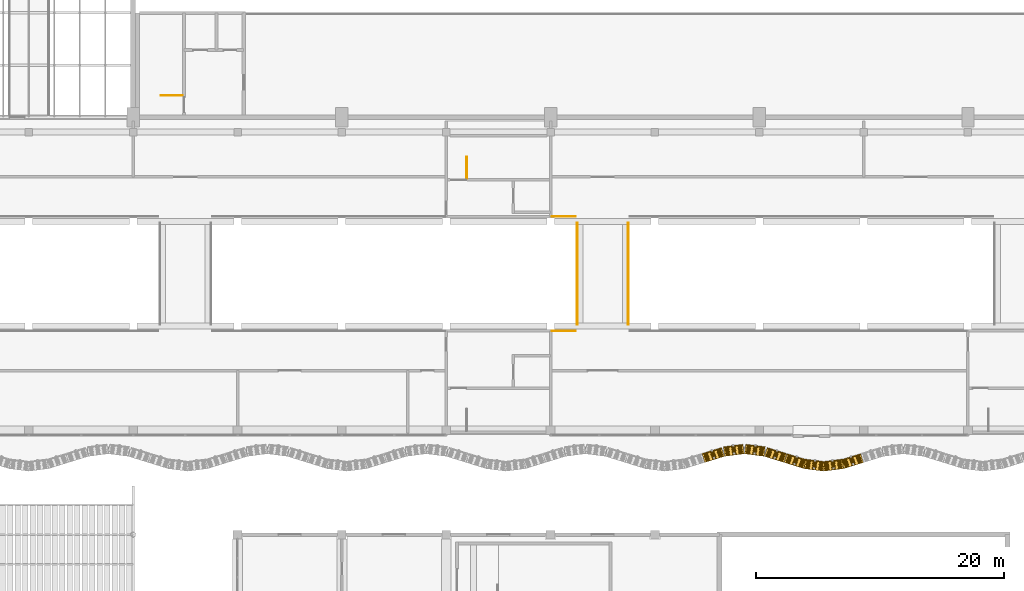
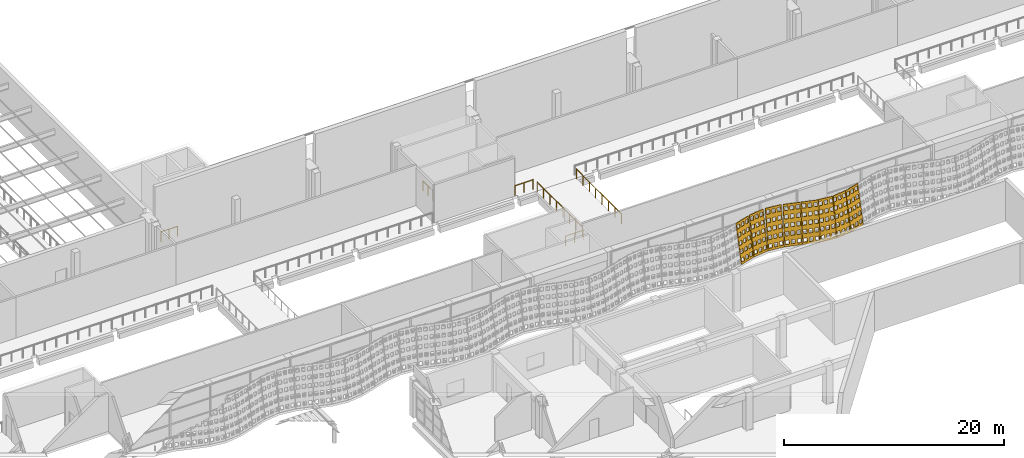
# One storey, part 148 of 162: 8 coverings, 6 railings.
"""IFC4 building model written with IfcOpenShell, lengths in metres."""

from ifc_helpers import new_model, si_unit, direction, frame, origin, origin_2d, place, context, subcontext, project, spatial, polyline, circle, outline, extrude, material, layer, layer_set, type_object, element, save


model = new_model("IFC4")

# Units and contexts
model_context = context("Model", 3, precision=1e-05, world=origin(), true_north=direction((0.0, 1.0)))
body_context = subcontext(model_context, "Body", "Model", "MODEL_VIEW")
ifc_project = project(units=[si_unit("LENGTHUNIT", "METRE"), si_unit("AREAUNIT", "SQUARE_METRE"), si_unit("VOLUMEUNIT", "CUBIC_METRE"), si_unit("PLANEANGLEUNIT", "RADIAN"), si_unit("MASSUNIT", "GRAM", prefix="KILO")], contexts=[model_context])

# Site, building, storey
site_placement = place(None, origin())
site = spatial("IfcSite", under=ifc_project, at=site_placement, CompositionType="ELEMENT")
building_placement = place(site_placement, origin())
building = spatial("IfcBuilding", under=site, at=building_placement, Name="Rain Tree Exposition and Congress Centre", CompositionType="ELEMENT")
storey_placement = place(building_placement, frame((0.0, 0.0, 6.0)))
storey = spatial("IfcBuildingStorey", under=building, at=storey_placement, Name="L01", CompositionType="ELEMENT", Elevation=6.0)

# Railings
ifc_material_1 = material(Name="Aluminium and glass balustrade", Category="aluminium")
railing_type_1 = type_object("IfcRailingType", Name="Concourse guard 1100", PredefinedType="GUARDRAIL", material=ifc_material_1)
railing_1_placement = place(storey_placement, frame((169.64990234375, 95.85009765625, 0.0)))
element("IfcRailing", 1, at=railing_1_placement, inside=storey, type_object=railing_type_1, Name="L01 ST-C11 top well guard 1", PredefinedType="GUARDRAIL", context=body_context, shape_type="SweptSolid", body=[
    extrude(circle(Radius=0.02392578125, at=origin_2d()), frame((0.0, 0.0, 1.076171875), z_axis=(0.0, 1.0, 0.0), x_axis=(-1.0, 0.0, 0.0)), (0.0, 0.0, 1.0), 1.75),
    extrude(circle(Radius=0.02099609375, at=origin_2d()), origin(), (0.0, 0.0, 1.0), 1.052001953125),
    extrude(circle(Radius=0.02099609375, at=origin_2d()), frame((0.0, 0.875, 0.0)), (0.0, 0.0, 1.0), 1.052001953125),
    extrude(circle(Radius=0.02099609375, at=origin_2d()), frame((0.0, 1.75, 0.0)), (0.0, 0.0, 1.0), 1.052001953125),
])
for number, where, name in (
    (2, (176.5, 83.60009765625, 0.0), "Concourse promenade guard 10"),
    (3, (176.5, 92.800048828125, 0.0), "Concourse promenade guard 24"),
):
    element("IfcRailing", number, at=place(storey_placement, frame(where)), inside=storey, type_object=railing_type_1, Name=name, PredefinedType="GUARDRAIL", context=body_context, shape_type="SweptSolid", body=[
        extrude(circle(Radius=0.02392578125, at=origin_2d()), frame((0.0, 0.0, 1.076171875), z_axis=(1.0, 0.0, 0.0), x_axis=(0.0, 1.0, 0.0)), (0.0, 0.0, 1.0), 1.89990234375),
        extrude(circle(Radius=0.02099609375, at=origin_2d()), origin(), (0.0, 0.0, 1.0), 1.052001953125),
        extrude(circle(Radius=0.02099609375, at=origin_2d()), frame((0.949951171875, 0.0, 0.0)), (0.0, 0.0, 1.0), 1.052001953125),
        extrude(circle(Radius=0.02099609375, at=origin_2d()), frame((1.89990234375, 0.0, 0.0)), (0.0, 0.0, 1.0), 1.052001953125),
    ])
for number, where, name in (
    (4, (178.550048828125, 84.10009765625, 0.0), "Concourse bridge guard 6.1"),
    (5, (182.64990234375, 84.10009765625, 0.0), "Concourse bridge guard 6.2"),
):
    element("IfcRailing", number, at=place(storey_placement, frame(where)), inside=storey, type_object=railing_type_1, Name=name, PredefinedType="GUARDRAIL", context=body_context, shape_type="SweptSolid", body=[
        extrude(circle(Radius=0.02392578125, at=origin_2d()), frame((0.0, 0.0, 1.076171875), z_axis=(0.0, 1.0, 0.0), x_axis=(-1.0, 0.0, 0.0)), (0.0, 0.0, 1.0), 8.199951171875),
        extrude(circle(Radius=0.02099609375, at=origin_2d()), origin(), (0.0, 0.0, 1.0), 1.052001953125),
        extrude(circle(Radius=0.02099609375, at=origin_2d()), frame((0.0, 1.17138671875, 0.0)), (0.0, 0.0, 1.0), 1.052001953125),
        extrude(circle(Radius=0.02099609375, at=origin_2d()), frame((0.0, 2.3427734375, 0.0)), (0.0, 0.0, 1.0), 1.052001953125),
        extrude(circle(Radius=0.02099609375, at=origin_2d()), frame((0.0, 3.51416015625, 0.0)), (0.0, 0.0, 1.0), 1.052001953125),
        extrude(circle(Radius=0.02099609375, at=origin_2d()), frame((0.0, 4.685791015625, 0.0)), (0.0, 0.0, 1.0), 1.052001953125),
        extrude(circle(Radius=0.02099609375, at=origin_2d()), frame((0.0, 5.857177734375, 0.0)), (0.0, 0.0, 1.0), 1.052001953125),
        extrude(circle(Radius=0.02099609375, at=origin_2d()), frame((0.0, 7.028564453125, 0.0)), (0.0, 0.0, 1.0), 1.052001953125),
        extrude(circle(Radius=0.02099609375, at=origin_2d()), frame((0.0, 8.199951171875, 0.0)), (0.0, 0.0, 1.0), 1.052001953125),
    ])
ifc_material_2 = material(Name="Steel S355J2H", Category="steel")
railing_type_2 = type_object("IfcRailingType", Name="Stair guard 1100", PredefinedType="GUARDRAIL", material=ifc_material_2)
railing_2_placement = place(storey_placement, frame((146.77490234375, 102.550048828125, 0.0)))
element("IfcRailing", 6, at=railing_2_placement, inside=storey, type_object=railing_type_2, Name="L01 ST-H5 top well guard 1", PredefinedType="GUARDRAIL", context=body_context, shape_type="SweptSolid", body=[
    extrude(circle(Radius=0.02392578125, at=origin_2d()), frame((0.0, 0.0, 1.076171875), z_axis=(-1.0, 0.0, 0.0), x_axis=(0.0, -1.0, 0.0)), (0.0, 0.0, 1.0), 1.75),
    extrude(circle(Radius=0.02099609375, at=origin_2d()), origin(), (0.0, 0.0, 1.0), 1.052001953125),
    extrude(circle(Radius=0.02099609375, at=origin_2d()), frame((-0.875, 0.0, 0.0)), (0.0, 0.0, 1.0), 1.052001953125),
    extrude(circle(Radius=0.02099609375, at=origin_2d()), frame((-1.75, 0.0, 0.0)), (0.0, 0.0, 1.0), 1.052001953125),
])

# Coverings
ifc_material_3 = material(Name="Perforated terracotta", Category="masonry")
ifc_layer = layer(ifc_material_3, 0.080078125)
ifc_layer_set = layer_set([ifc_layer], Name="Perforated terracotta")
covering_type = type_object("IfcCoveringType", Name="Terracotta screen 80", PredefinedType="CLADDING", material=ifc_layer_set)
covering_1_placement = place(storey_placement, frame((188.79931640625, 73.001708984375, 0.0126953125), z_axis=(-0.290138898064, 0.943714942124, -0.158812870519), x_axis=(-0.955845867297, -0.293868470528, 0.0)))
element("IfcCovering", 7, at=covering_1_placement, inside=storey, type_object=covering_type, Name="concourse/screen/L01/119", PredefinedType="CLADDING", context=body_context, shape_type="SweptSolid", body=[
    extrude(outline(polyline([(-1.659912109375, 0.0), (-1.659912109375, 4.29150390625), (-0.014892578125, 4.29150390625), (-0.014892578125, 0.0), (-1.659912109375, 0.0)]), holes=[polyline([(-0.119140625, 0.221435546875), (-0.119140625, 0.63671875), (-0.458984375, 0.63671875), (-0.458984375, 0.221435546875), (-0.119140625, 0.221435546875)]), polyline([(-0.119140625, 1.079833984375), (-0.119140625, 1.4951171875), (-0.458984375, 1.4951171875), (-0.458984375, 1.079833984375), (-0.119140625, 1.079833984375)]), polyline([(-0.119140625, 1.93798828125), (-0.119140625, 2.353271484375), (-0.458984375, 2.353271484375), (-0.458984375, 1.93798828125), (-0.119140625, 1.93798828125)]), polyline([(-0.119140625, 2.79638671875), (-0.119140625, 3.211669921875), (-0.458984375, 3.211669921875), (-0.458984375, 2.79638671875), (-0.119140625, 2.79638671875)]), polyline([(-0.119140625, 3.654541015625), (-0.119140625, 4.06982421875), (-0.458984375, 4.06982421875), (-0.458984375, 3.654541015625), (-0.119140625, 3.654541015625)]), polyline([(-0.66748046875, 0.221435546875), (-0.66748046875, 0.63671875), (-1.00732421875, 0.63671875), (-1.00732421875, 0.221435546875), (-0.66748046875, 0.221435546875)]), polyline([(-0.66748046875, 1.079833984375), (-0.66748046875, 1.4951171875), (-1.00732421875, 1.4951171875), (-1.00732421875, 1.079833984375), (-0.66748046875, 1.079833984375)]), polyline([(-0.66748046875, 1.93798828125), (-0.66748046875, 2.353271484375), (-1.00732421875, 2.353271484375), (-1.00732421875, 1.93798828125), (-0.66748046875, 1.93798828125)]), polyline([(-0.66748046875, 2.79638671875), (-0.66748046875, 3.211669921875), (-1.00732421875, 3.211669921875), (-1.00732421875, 2.79638671875), (-0.66748046875, 2.79638671875)]), polyline([(-0.66748046875, 3.654541015625), (-0.66748046875, 4.06982421875), (-1.00732421875, 4.06982421875), (-1.00732421875, 3.654541015625), (-0.66748046875, 3.654541015625)]), polyline([(-1.2158203125, 0.221435546875), (-1.2158203125, 0.63671875), (-1.5556640625, 0.63671875), (-1.5556640625, 0.221435546875), (-1.2158203125, 0.221435546875)]), polyline([(-1.2158203125, 1.079833984375), (-1.2158203125, 1.4951171875), (-1.5556640625, 1.4951171875), (-1.5556640625, 1.079833984375), (-1.2158203125, 1.079833984375)]), polyline([(-1.2158203125, 1.93798828125), (-1.2158203125, 2.353271484375), (-1.5556640625, 2.353271484375), (-1.5556640625, 1.93798828125), (-1.2158203125, 1.93798828125)]), polyline([(-1.2158203125, 2.79638671875), (-1.2158203125, 3.211669921875), (-1.5556640625, 3.211669921875), (-1.5556640625, 2.79638671875), (-1.2158203125, 2.79638671875)]), polyline([(-1.2158203125, 3.654541015625), (-1.2158203125, 4.06982421875), (-1.5556640625, 4.06982421875), (-1.5556640625, 3.654541015625), (-1.2158203125, 3.654541015625)])]), origin(), (0.0, 0.0, 1.0), 0.079833984375),
])
covering_2_placement = place(storey_placement, frame((190.399658203125, 73.496826171875, 0.01318359375), z_axis=(-0.124968640969, 0.978413018317, -0.164592844203), x_axis=(-0.991941518713, -0.126696580272, 0.0)))
element("IfcCovering", 8, at=covering_2_placement, inside=storey, type_object=covering_type, Name="concourse/screen/L01/120", PredefinedType="CLADDING", context=body_context, shape_type="SweptSolid", body=[
    extrude(outline(polyline([(-1.59814453125, 0.0), (-1.59814453125, 4.295166015625), (-0.014892578125, 4.295166015625), (-0.014892578125, 0.0), (-1.59814453125, 0.0)]), holes=[polyline([(-0.115234375, 0.2216796875), (-0.115234375, 0.63720703125), (-0.4423828125, 0.63720703125), (-0.4423828125, 0.2216796875), (-0.115234375, 0.2216796875)]), polyline([(-0.115234375, 1.080810546875), (-0.115234375, 1.496337890625), (-0.4423828125, 1.496337890625), (-0.4423828125, 1.080810546875), (-0.115234375, 1.080810546875)]), polyline([(-0.115234375, 1.939697265625), (-0.115234375, 2.35546875), (-0.4423828125, 2.35546875), (-0.4423828125, 1.939697265625), (-0.115234375, 1.939697265625)]), polyline([(-0.115234375, 2.798583984375), (-0.115234375, 3.21435546875), (-0.4423828125, 3.21435546875), (-0.4423828125, 2.798583984375), (-0.115234375, 2.798583984375)]), polyline([(-0.115234375, 3.65771484375), (-0.115234375, 4.073486328125), (-0.4423828125, 4.073486328125), (-0.4423828125, 3.65771484375), (-0.115234375, 3.65771484375)]), polyline([(-0.64306640625, 0.2216796875), (-0.64306640625, 0.63720703125), (-0.97021484375, 0.63720703125), (-0.97021484375, 0.2216796875), (-0.64306640625, 0.2216796875)]), polyline([(-0.64306640625, 1.080810546875), (-0.64306640625, 1.496337890625), (-0.97021484375, 1.496337890625), (-0.97021484375, 1.080810546875), (-0.64306640625, 1.080810546875)]), polyline([(-0.64306640625, 1.939697265625), (-0.64306640625, 2.35546875), (-0.97021484375, 2.35546875), (-0.97021484375, 1.939697265625), (-0.64306640625, 1.939697265625)]), polyline([(-0.64306640625, 2.798583984375), (-0.64306640625, 3.21435546875), (-0.97021484375, 3.21435546875), (-0.97021484375, 2.798583984375), (-0.64306640625, 2.798583984375)]), polyline([(-0.64306640625, 3.65771484375), (-0.64306640625, 4.073486328125), (-0.97021484375, 4.073486328125), (-0.97021484375, 3.65771484375), (-0.64306640625, 3.65771484375)]), polyline([(-1.170654296875, 0.2216796875), (-1.170654296875, 0.63720703125), (-1.497802734375, 0.63720703125), (-1.497802734375, 0.2216796875), (-1.170654296875, 0.2216796875)]), polyline([(-1.170654296875, 1.080810546875), (-1.170654296875, 1.496337890625), (-1.497802734375, 1.496337890625), (-1.497802734375, 1.080810546875), (-1.170654296875, 1.080810546875)]), polyline([(-1.170654296875, 1.939697265625), (-1.170654296875, 2.35546875), (-1.497802734375, 2.35546875), (-1.497802734375, 1.939697265625), (-1.170654296875, 1.939697265625)]), polyline([(-1.170654296875, 2.798583984375), (-1.170654296875, 3.21435546875), (-1.497802734375, 3.21435546875), (-1.497802734375, 2.798583984375), (-1.170654296875, 2.798583984375)]), polyline([(-1.170654296875, 3.65771484375), (-1.170654296875, 4.073486328125), (-1.497802734375, 4.073486328125), (-1.497802734375, 3.65771484375), (-1.170654296875, 3.65771484375)])]), origin(), (0.0, 0.0, 1.0), 0.080078125),
])
covering_3_placement = place(storey_placement, frame((192.000244140625, 73.701904296875, 0.01318359375), z_axis=(0.125342414455, 0.978282259159, -0.165085131233), x_axis=(-0.991891686382, 0.127086122318, 0.0)))
element("IfcCovering", 9, at=covering_3_placement, inside=storey, type_object=covering_type, Name="concourse/screen/L01/121", PredefinedType="CLADDING", context=body_context, shape_type="SweptSolid", body=[
    extrude(outline(polyline([(-1.59814453125, 0.0), (-1.59814453125, 4.295166015625), (-0.014892578125, 4.295166015625), (-0.014892578125, 0.0), (-1.59814453125, 0.0)]), holes=[polyline([(-0.115234375, 0.2216796875), (-0.115234375, 0.63720703125), (-0.4423828125, 0.63720703125), (-0.4423828125, 0.2216796875), (-0.115234375, 0.2216796875)]), polyline([(-0.115234375, 1.080810546875), (-0.115234375, 1.496337890625), (-0.4423828125, 1.496337890625), (-0.4423828125, 1.080810546875), (-0.115234375, 1.080810546875)]), polyline([(-0.115234375, 1.939697265625), (-0.115234375, 2.35546875), (-0.4423828125, 2.35546875), (-0.4423828125, 1.939697265625), (-0.115234375, 1.939697265625)]), polyline([(-0.115234375, 2.798583984375), (-0.115234375, 3.21435546875), (-0.4423828125, 3.21435546875), (-0.4423828125, 2.798583984375), (-0.115234375, 2.798583984375)]), polyline([(-0.115234375, 3.65771484375), (-0.115234375, 4.073486328125), (-0.4423828125, 4.073486328125), (-0.4423828125, 3.65771484375), (-0.115234375, 3.65771484375)]), polyline([(-0.64306640625, 0.2216796875), (-0.64306640625, 0.63720703125), (-0.97021484375, 0.63720703125), (-0.97021484375, 0.2216796875), (-0.64306640625, 0.2216796875)]), polyline([(-0.64306640625, 1.080810546875), (-0.64306640625, 1.496337890625), (-0.97021484375, 1.496337890625), (-0.97021484375, 1.080810546875), (-0.64306640625, 1.080810546875)]), polyline([(-0.64306640625, 1.939697265625), (-0.64306640625, 2.35546875), (-0.97021484375, 2.35546875), (-0.97021484375, 1.939697265625), (-0.64306640625, 1.939697265625)]), polyline([(-0.64306640625, 2.798583984375), (-0.64306640625, 3.21435546875), (-0.97021484375, 3.21435546875), (-0.97021484375, 2.798583984375), (-0.64306640625, 2.798583984375)]), polyline([(-0.64306640625, 3.65771484375), (-0.64306640625, 4.073486328125), (-0.97021484375, 4.073486328125), (-0.97021484375, 3.65771484375), (-0.64306640625, 3.65771484375)]), polyline([(-1.170654296875, 0.2216796875), (-1.170654296875, 0.63720703125), (-1.497802734375, 0.63720703125), (-1.497802734375, 0.2216796875), (-1.170654296875, 0.2216796875)]), polyline([(-1.170654296875, 1.080810546875), (-1.170654296875, 1.496337890625), (-1.497802734375, 1.496337890625), (-1.497802734375, 1.080810546875), (-1.170654296875, 1.080810546875)]), polyline([(-1.170654296875, 1.939697265625), (-1.170654296875, 2.35546875), (-1.497802734375, 2.35546875), (-1.497802734375, 1.939697265625), (-1.170654296875, 1.939697265625)]), polyline([(-1.170654296875, 2.798583984375), (-1.170654296875, 3.21435546875), (-1.497802734375, 3.21435546875), (-1.497802734375, 2.798583984375), (-1.170654296875, 2.798583984375)]), polyline([(-1.170654296875, 3.65771484375), (-1.170654296875, 4.073486328125), (-1.497802734375, 4.073486328125), (-1.497802734375, 3.65771484375), (-1.170654296875, 3.65771484375)])]), origin(), (0.0, 0.0, 1.0), 0.079833984375),
])
covering_4_placement = place(storey_placement, frame((193.6005859375, 73.49658203125, 0.0126953125), z_axis=(0.290138898064, 0.943714942124, -0.158812870519), x_axis=(-0.955845867297, 0.293868470528, 0.0)))
element("IfcCovering", 10, at=covering_4_placement, inside=storey, type_object=covering_type, Name="concourse/screen/L01/122", PredefinedType="CLADDING", context=body_context, shape_type="SweptSolid", body=[
    extrude(outline(polyline([(-1.659912109375, 0.0), (-1.659912109375, 4.29150390625), (-0.014892578125, 4.29150390625), (-0.014892578125, 0.0), (-1.659912109375, 0.0)]), holes=[polyline([(-0.119140625, 0.221435546875), (-0.119140625, 0.63671875), (-0.458984375, 0.63671875), (-0.458984375, 0.221435546875), (-0.119140625, 0.221435546875)]), polyline([(-0.119140625, 1.079833984375), (-0.119140625, 1.4951171875), (-0.458984375, 1.4951171875), (-0.458984375, 1.079833984375), (-0.119140625, 1.079833984375)]), polyline([(-0.119140625, 1.93798828125), (-0.119140625, 2.353271484375), (-0.458984375, 2.353271484375), (-0.458984375, 1.93798828125), (-0.119140625, 1.93798828125)]), polyline([(-0.119140625, 2.79638671875), (-0.119140625, 3.211669921875), (-0.458984375, 3.211669921875), (-0.458984375, 2.79638671875), (-0.119140625, 2.79638671875)]), polyline([(-0.119140625, 3.654541015625), (-0.119140625, 4.06982421875), (-0.458984375, 4.06982421875), (-0.458984375, 3.654541015625), (-0.119140625, 3.654541015625)]), polyline([(-0.66748046875, 0.221435546875), (-0.66748046875, 0.63671875), (-1.00732421875, 0.63671875), (-1.00732421875, 0.221435546875), (-0.66748046875, 0.221435546875)]), polyline([(-0.66748046875, 1.079833984375), (-0.66748046875, 1.4951171875), (-1.00732421875, 1.4951171875), (-1.00732421875, 1.079833984375), (-0.66748046875, 1.079833984375)]), polyline([(-0.66748046875, 1.93798828125), (-0.66748046875, 2.353271484375), (-1.00732421875, 2.353271484375), (-1.00732421875, 1.93798828125), (-0.66748046875, 1.93798828125)]), polyline([(-0.66748046875, 2.79638671875), (-0.66748046875, 3.211669921875), (-1.00732421875, 3.211669921875), (-1.00732421875, 2.79638671875), (-0.66748046875, 2.79638671875)]), polyline([(-0.66748046875, 3.654541015625), (-0.66748046875, 4.06982421875), (-1.00732421875, 4.06982421875), (-1.00732421875, 3.654541015625), (-0.66748046875, 3.654541015625)]), polyline([(-1.2158203125, 0.221435546875), (-1.2158203125, 0.63671875), (-1.5556640625, 0.63671875), (-1.5556640625, 0.221435546875), (-1.2158203125, 0.221435546875)]), polyline([(-1.2158203125, 1.079833984375), (-1.2158203125, 1.4951171875), (-1.5556640625, 1.4951171875), (-1.5556640625, 1.079833984375), (-1.2158203125, 1.079833984375)]), polyline([(-1.2158203125, 1.93798828125), (-1.2158203125, 2.353271484375), (-1.5556640625, 2.353271484375), (-1.5556640625, 1.93798828125), (-1.2158203125, 1.93798828125)]), polyline([(-1.2158203125, 2.79638671875), (-1.2158203125, 3.211669921875), (-1.5556640625, 3.211669921875), (-1.5556640625, 2.79638671875), (-1.2158203125, 2.79638671875)]), polyline([(-1.2158203125, 3.654541015625), (-1.2158203125, 4.06982421875), (-1.5556640625, 4.06982421875), (-1.5556640625, 3.654541015625), (-1.2158203125, 3.654541015625)])]), origin(), (0.0, 0.0, 1.0), 0.079833984375),
])
covering_5_placement = place(storey_placement, frame((195.20068359375, 73.001708984375, 0.0126953125), z_axis=(0.290138898064, 0.943714942124, -0.158812870519), x_axis=(-0.955845867297, 0.293868470528, 0.0)))
element("IfcCovering", 11, at=covering_5_placement, inside=storey, type_object=covering_type, Name="concourse/screen/L01/123", PredefinedType="CLADDING", context=body_context, shape_type="SweptSolid", body=[
    extrude(outline(polyline([(-1.65283203125, 0.0), (-1.65283203125, 4.29150390625), (-0.014892578125, 4.29150390625), (-0.014892578125, 0.0), (-1.65283203125, 0.0)]), holes=[polyline([(-0.11865234375, 0.221435546875), (-0.11865234375, 0.63671875), (-0.457275390625, 0.63671875), (-0.457275390625, 0.221435546875), (-0.11865234375, 0.221435546875)]), polyline([(-0.11865234375, 1.079833984375), (-0.11865234375, 1.4951171875), (-0.457275390625, 1.4951171875), (-0.457275390625, 1.079833984375), (-0.11865234375, 1.079833984375)]), polyline([(-0.11865234375, 1.93798828125), (-0.11865234375, 2.353271484375), (-0.457275390625, 2.353271484375), (-0.457275390625, 1.93798828125), (-0.11865234375, 1.93798828125)]), polyline([(-0.11865234375, 2.79638671875), (-0.11865234375, 3.211669921875), (-0.457275390625, 3.211669921875), (-0.457275390625, 2.79638671875), (-0.11865234375, 2.79638671875)]), polyline([(-0.11865234375, 3.654541015625), (-0.11865234375, 4.06982421875), (-0.457275390625, 4.06982421875), (-0.457275390625, 3.654541015625), (-0.11865234375, 3.654541015625)]), polyline([(-0.664794921875, 0.221435546875), (-0.664794921875, 0.63671875), (-1.003173828125, 0.63671875), (-1.003173828125, 0.221435546875), (-0.664794921875, 0.221435546875)]), polyline([(-0.664794921875, 1.079833984375), (-0.664794921875, 1.4951171875), (-1.003173828125, 1.4951171875), (-1.003173828125, 1.079833984375), (-0.664794921875, 1.079833984375)]), polyline([(-0.664794921875, 1.93798828125), (-0.664794921875, 2.353271484375), (-1.003173828125, 2.353271484375), (-1.003173828125, 1.93798828125), (-0.664794921875, 1.93798828125)]), polyline([(-0.664794921875, 2.79638671875), (-0.664794921875, 3.211669921875), (-1.003173828125, 3.211669921875), (-1.003173828125, 2.79638671875), (-0.664794921875, 2.79638671875)]), polyline([(-0.664794921875, 3.654541015625), (-0.664794921875, 4.06982421875), (-1.003173828125, 4.06982421875), (-1.003173828125, 3.654541015625), (-0.664794921875, 3.654541015625)]), polyline([(-1.210693359375, 0.221435546875), (-1.210693359375, 0.63671875), (-1.54931640625, 0.63671875), (-1.54931640625, 0.221435546875), (-1.210693359375, 0.221435546875)]), polyline([(-1.210693359375, 1.079833984375), (-1.210693359375, 1.4951171875), (-1.54931640625, 1.4951171875), (-1.54931640625, 1.079833984375), (-1.210693359375, 1.079833984375)]), polyline([(-1.210693359375, 1.93798828125), (-1.210693359375, 2.353271484375), (-1.54931640625, 2.353271484375), (-1.54931640625, 1.93798828125), (-1.210693359375, 1.93798828125)]), polyline([(-1.210693359375, 2.79638671875), (-1.210693359375, 3.211669921875), (-1.54931640625, 3.211669921875), (-1.54931640625, 2.79638671875), (-1.210693359375, 2.79638671875)]), polyline([(-1.210693359375, 3.654541015625), (-1.210693359375, 4.06982421875), (-1.54931640625, 4.06982421875), (-1.54931640625, 3.654541015625), (-1.210693359375, 3.654541015625)])]), origin(), (0.0, 0.0, 1.0), 0.079833984375),
])
covering_6_placement = place(storey_placement, frame((196.80029296875, 72.5068359375, 0.01318359375), z_axis=(0.124968640969, 0.978413018317, -0.164592844203), x_axis=(-0.991941518713, 0.126696580272, 0.0)))
element("IfcCovering", 12, at=covering_6_placement, inside=storey, type_object=covering_type, Name="concourse/screen/L01/124", PredefinedType="CLADDING", context=body_context, shape_type="SweptSolid", body=[
    extrude(outline(polyline([(-1.587890625, 0.0), (-1.587890625, 4.295166015625), (-0.02197265625, 4.295166015625), (-0.02197265625, 0.0), (-1.587890625, 0.0)]), holes=[polyline([(-0.12109375, 0.2216796875), (-0.12109375, 0.63720703125), (-0.444580078125, 0.63720703125), (-0.444580078125, 0.2216796875), (-0.12109375, 0.2216796875)]), polyline([(-0.12109375, 1.080810546875), (-0.12109375, 1.496337890625), (-0.444580078125, 1.496337890625), (-0.444580078125, 1.080810546875), (-0.12109375, 1.080810546875)]), polyline([(-0.12109375, 1.939697265625), (-0.12109375, 2.35546875), (-0.444580078125, 2.35546875), (-0.444580078125, 1.939697265625), (-0.12109375, 1.939697265625)]), polyline([(-0.12109375, 2.798583984375), (-0.12109375, 3.21435546875), (-0.444580078125, 3.21435546875), (-0.444580078125, 2.798583984375), (-0.12109375, 2.798583984375)]), polyline([(-0.12109375, 3.65771484375), (-0.12109375, 4.073486328125), (-0.444580078125, 4.073486328125), (-0.444580078125, 3.65771484375), (-0.12109375, 3.65771484375)]), polyline([(-0.64306640625, 0.2216796875), (-0.64306640625, 0.63720703125), (-0.966796875, 0.63720703125), (-0.966796875, 0.2216796875), (-0.64306640625, 0.2216796875)]), polyline([(-0.64306640625, 1.080810546875), (-0.64306640625, 1.496337890625), (-0.966796875, 1.496337890625), (-0.966796875, 1.080810546875), (-0.64306640625, 1.080810546875)]), polyline([(-0.64306640625, 1.939697265625), (-0.64306640625, 2.35546875), (-0.966796875, 2.35546875), (-0.966796875, 1.939697265625), (-0.64306640625, 1.939697265625)]), polyline([(-0.64306640625, 2.798583984375), (-0.64306640625, 3.21435546875), (-0.966796875, 3.21435546875), (-0.966796875, 2.798583984375), (-0.64306640625, 2.798583984375)]), polyline([(-0.64306640625, 3.65771484375), (-0.64306640625, 4.073486328125), (-0.966796875, 4.073486328125), (-0.966796875, 3.65771484375), (-0.64306640625, 3.65771484375)]), polyline([(-1.1650390625, 0.2216796875), (-1.1650390625, 0.63720703125), (-1.48876953125, 0.63720703125), (-1.48876953125, 0.2216796875), (-1.1650390625, 0.2216796875)]), polyline([(-1.1650390625, 1.080810546875), (-1.1650390625, 1.496337890625), (-1.48876953125, 1.496337890625), (-1.48876953125, 1.080810546875), (-1.1650390625, 1.080810546875)]), polyline([(-1.1650390625, 1.939697265625), (-1.1650390625, 2.35546875), (-1.48876953125, 2.35546875), (-1.48876953125, 1.939697265625), (-1.1650390625, 1.939697265625)]), polyline([(-1.1650390625, 2.798583984375), (-1.1650390625, 3.21435546875), (-1.48876953125, 3.21435546875), (-1.48876953125, 2.798583984375), (-1.1650390625, 2.798583984375)]), polyline([(-1.1650390625, 3.65771484375), (-1.1650390625, 4.073486328125), (-1.48876953125, 4.073486328125), (-1.48876953125, 3.65771484375), (-1.1650390625, 3.65771484375)])]), origin(), (0.0, 0.0, 1.0), 0.080078125),
])
covering_7_placement = place(storey_placement, frame((198.399658203125, 72.302001953125, 0.01318359375), z_axis=(-0.125342414455, 0.978282259159, -0.165085131233), x_axis=(-0.991891686382, -0.127086122318, 0.0)))
element("IfcCovering", 13, at=covering_7_placement, inside=storey, type_object=covering_type, Name="concourse/screen/L01/125", PredefinedType="CLADDING", context=body_context, shape_type="SweptSolid", body=[
    extrude(outline(polyline([(-1.59130859375, 0.0), (-1.59130859375, 4.295166015625), (-0.025146484375, 4.295166015625), (-0.025146484375, 0.0), (-1.59130859375, 0.0)]), holes=[polyline([(-0.12451171875, 0.2216796875), (-0.12451171875, 0.63720703125), (-0.447998046875, 0.63720703125), (-0.447998046875, 0.2216796875), (-0.12451171875, 0.2216796875)]), polyline([(-0.12451171875, 1.080810546875), (-0.12451171875, 1.496337890625), (-0.447998046875, 1.496337890625), (-0.447998046875, 1.080810546875), (-0.12451171875, 1.080810546875)]), polyline([(-0.12451171875, 1.939697265625), (-0.12451171875, 2.35546875), (-0.447998046875, 2.35546875), (-0.447998046875, 1.939697265625), (-0.12451171875, 1.939697265625)]), polyline([(-0.12451171875, 2.798583984375), (-0.12451171875, 3.21435546875), (-0.447998046875, 3.21435546875), (-0.447998046875, 2.798583984375), (-0.12451171875, 2.798583984375)]), polyline([(-0.12451171875, 3.65771484375), (-0.12451171875, 4.073486328125), (-0.447998046875, 4.073486328125), (-0.447998046875, 3.65771484375), (-0.12451171875, 3.65771484375)]), polyline([(-0.646484375, 0.2216796875), (-0.646484375, 0.63720703125), (-0.969970703125, 0.63720703125), (-0.969970703125, 0.2216796875), (-0.646484375, 0.2216796875)]), polyline([(-0.646484375, 1.080810546875), (-0.646484375, 1.496337890625), (-0.969970703125, 1.496337890625), (-0.969970703125, 1.080810546875), (-0.646484375, 1.080810546875)]), polyline([(-0.646484375, 1.939697265625), (-0.646484375, 2.35546875), (-0.969970703125, 2.35546875), (-0.969970703125, 1.939697265625), (-0.646484375, 1.939697265625)]), polyline([(-0.646484375, 2.798583984375), (-0.646484375, 3.21435546875), (-0.969970703125, 3.21435546875), (-0.969970703125, 2.798583984375), (-0.646484375, 2.798583984375)]), polyline([(-0.646484375, 3.65771484375), (-0.646484375, 4.073486328125), (-0.969970703125, 4.073486328125), (-0.969970703125, 3.65771484375), (-0.646484375, 3.65771484375)]), polyline([(-1.16845703125, 0.2216796875), (-1.16845703125, 0.63720703125), (-1.491943359375, 0.63720703125), (-1.491943359375, 0.2216796875), (-1.16845703125, 0.2216796875)]), polyline([(-1.16845703125, 1.080810546875), (-1.16845703125, 1.496337890625), (-1.491943359375, 1.496337890625), (-1.491943359375, 1.080810546875), (-1.16845703125, 1.080810546875)]), polyline([(-1.16845703125, 1.939697265625), (-1.16845703125, 2.35546875), (-1.491943359375, 2.35546875), (-1.491943359375, 1.939697265625), (-1.16845703125, 1.939697265625)]), polyline([(-1.16845703125, 2.798583984375), (-1.16845703125, 3.21435546875), (-1.491943359375, 3.21435546875), (-1.491943359375, 2.798583984375), (-1.16845703125, 2.798583984375)]), polyline([(-1.16845703125, 3.65771484375), (-1.16845703125, 4.073486328125), (-1.491943359375, 4.073486328125), (-1.491943359375, 3.65771484375), (-1.16845703125, 3.65771484375)])]), origin(), (0.0, 0.0, 1.0), 0.079833984375),
])
covering_8_placement = place(storey_placement, frame((199.99951171875, 72.506591796875, 0.0126953125), z_axis=(-0.292932171154, 0.942875425902, -0.158671592708), x_axis=(-0.954973588716, -0.296690823679, 0.0)))
element("IfcCovering", 14, at=covering_8_placement, inside=storey, type_object=covering_type, Name="concourse/screen/L01/126", PredefinedType="CLADDING", context=body_context, shape_type="SweptSolid", body=[
    extrude(outline(polyline([(-1.659912109375, 0.0), (-1.659912109375, 4.29150390625), (-0.02197265625, 4.29150390625), (-0.02197265625, 0.0), (-1.659912109375, 0.0)]), holes=[polyline([(-0.125732421875, 0.221435546875), (-0.125732421875, 0.63671875), (-0.464111328125, 0.63671875), (-0.464111328125, 0.221435546875), (-0.125732421875, 0.221435546875)]), polyline([(-0.125732421875, 1.079833984375), (-0.125732421875, 1.4951171875), (-0.464111328125, 1.4951171875), (-0.464111328125, 1.079833984375), (-0.125732421875, 1.079833984375)]), polyline([(-0.125732421875, 1.93798828125), (-0.125732421875, 2.353271484375), (-0.464111328125, 2.353271484375), (-0.464111328125, 1.93798828125), (-0.125732421875, 1.93798828125)]), polyline([(-0.125732421875, 2.79638671875), (-0.125732421875, 3.211669921875), (-0.464111328125, 3.211669921875), (-0.464111328125, 2.79638671875), (-0.125732421875, 2.79638671875)]), polyline([(-0.125732421875, 3.654541015625), (-0.125732421875, 4.06982421875), (-0.464111328125, 4.06982421875), (-0.464111328125, 3.654541015625), (-0.125732421875, 3.654541015625)]), polyline([(-0.671630859375, 0.221435546875), (-0.671630859375, 0.63671875), (-1.010009765625, 0.63671875), (-1.010009765625, 0.221435546875), (-0.671630859375, 0.221435546875)]), polyline([(-0.671630859375, 1.079833984375), (-0.671630859375, 1.4951171875), (-1.010009765625, 1.4951171875), (-1.010009765625, 1.079833984375), (-0.671630859375, 1.079833984375)]), polyline([(-0.671630859375, 1.93798828125), (-0.671630859375, 2.353271484375), (-1.010009765625, 2.353271484375), (-1.010009765625, 1.93798828125), (-0.671630859375, 1.93798828125)]), polyline([(-0.671630859375, 2.79638671875), (-0.671630859375, 3.211669921875), (-1.010009765625, 3.211669921875), (-1.010009765625, 2.79638671875), (-0.671630859375, 2.79638671875)]), polyline([(-0.671630859375, 3.654541015625), (-0.671630859375, 4.06982421875), (-1.010009765625, 4.06982421875), (-1.010009765625, 3.654541015625), (-0.671630859375, 3.654541015625)]), polyline([(-1.217529296875, 0.221435546875), (-1.217529296875, 0.63671875), (-1.55615234375, 0.63671875), (-1.55615234375, 0.221435546875), (-1.217529296875, 0.221435546875)]), polyline([(-1.217529296875, 1.079833984375), (-1.217529296875, 1.4951171875), (-1.55615234375, 1.4951171875), (-1.55615234375, 1.079833984375), (-1.217529296875, 1.079833984375)]), polyline([(-1.217529296875, 1.93798828125), (-1.217529296875, 2.353271484375), (-1.55615234375, 2.353271484375), (-1.55615234375, 1.93798828125), (-1.217529296875, 1.93798828125)]), polyline([(-1.217529296875, 2.79638671875), (-1.217529296875, 3.211669921875), (-1.55615234375, 3.211669921875), (-1.55615234375, 2.79638671875), (-1.217529296875, 2.79638671875)]), polyline([(-1.217529296875, 3.654541015625), (-1.217529296875, 4.06982421875), (-1.55615234375, 4.06982421875), (-1.55615234375, 3.654541015625), (-1.217529296875, 3.654541015625)])]), origin(), (0.0, 0.0, 1.0), 0.080078125),
])

save(model, "model.ifc")
